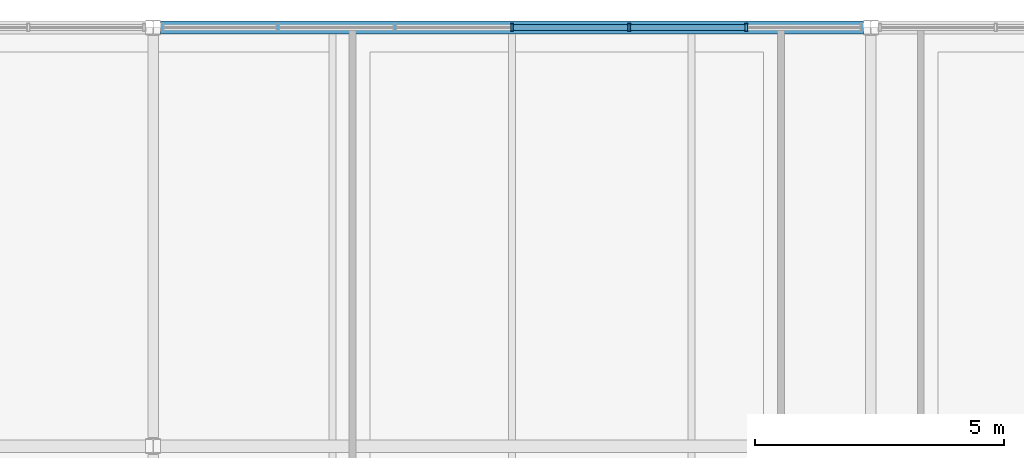
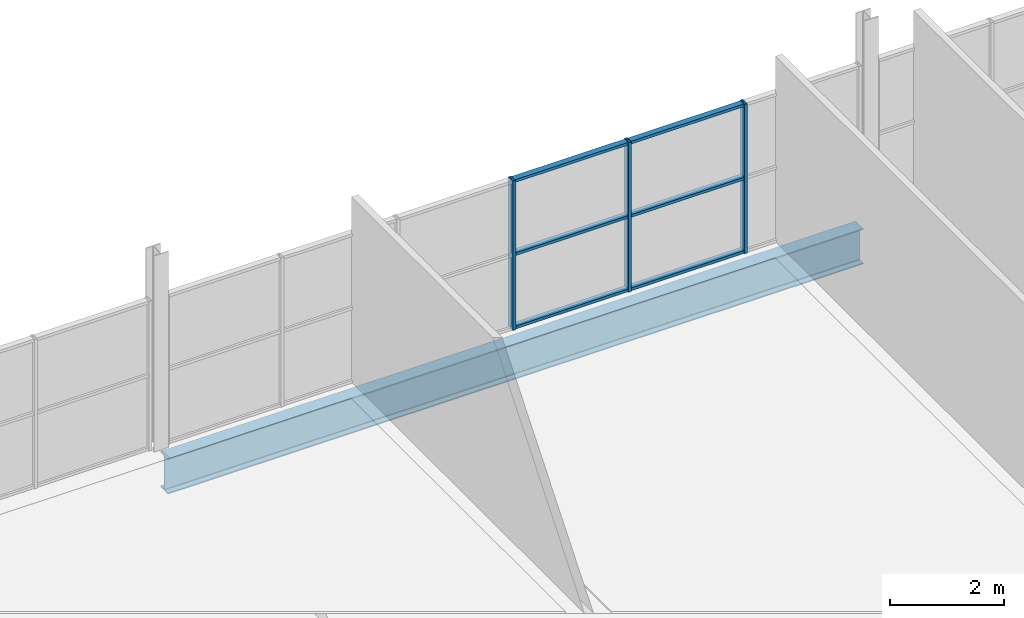
# One storey, part 40 of 68: 9 members, 1 beam, 1 element without a shape of its own.
"""IFC4 building model written with IfcOpenShell, lengths in metres."""

from ifc_helpers import new_model, si_unit, direction, frame, origin, origin_2d, place, context, subcontext, project, spatial, hollow_rectangle, i_section, extrude, material, material_profile, profile_set, type_object, element, aggregate, save


model = new_model("IFC4")

# Units and contexts
model_context = context("Model", 3, precision=1e-05, world=origin(), true_north=direction((0.0, 1.0)))
body_context = subcontext(model_context, "Body", "Model", "MODEL_VIEW")
ifc_project = project(units=[si_unit("LENGTHUNIT", "METRE"), si_unit("AREAUNIT", "SQUARE_METRE"), si_unit("VOLUMEUNIT", "CUBIC_METRE"), si_unit("PLANEANGLEUNIT", "RADIAN"), si_unit("MASSUNIT", "GRAM", prefix="KILO"), si_unit("THERMODYNAMICTEMPERATUREUNIT", "KELVIN")], contexts=[model_context])

# Site, building, storey
site_placement = place(None, origin())
site = spatial("IfcSite", under=ifc_project, at=site_placement, CompositionType="ELEMENT")
building_placement = place(site_placement, origin())
building = spatial("IfcBuilding", under=site, at=building_placement, Name="Nduvali Passage Aquatics Centre", CompositionType="ELEMENT")
storey_placement = place(building_placement, frame((0.0, 0.0, 13.199951171875)))
storey = spatial("IfcBuildingStorey", under=building, at=storey_placement, Name="L03", CompositionType="ELEMENT", Elevation=13.199951171875)

# Curtain wall, members
ifc_material_1 = material(Name="Aluminium EN AW-6063 T6", Category="aluminium")
curtain_wall_type = type_object("IfcCurtainWallType", Name="ENV-CW-WELL", PredefinedType="NOTDEFINED", material=ifc_material_1)
curtain_wall_placement = place(storey_placement, origin())
curtain_wall = element("IfcCurtainWall", 1, at=curtain_wall_placement, inside=storey, type_object=curtain_wall_type, Name="L03 North Avenue Teaching CW 110", PredefinedType="NOTDEFINED")
ifc_material_profile_1 = material_profile(ifc_material_1, hollow_rectangle(XDim=0.06005859375, YDim=0.159912109375, WallThickness=0.00390625, at=origin_2d()), Name="ALU MULLION 60x160x4")
ifc_profile_set_1 = profile_set([ifc_material_profile_1], Name="Aluminium EN AW-6063 T6")
member_type_1 = type_object("IfcMemberType", Name="ENV-MEM-MUL60", PredefinedType="MULLION", material=ifc_profile_set_1)
member_1_placement = place(storey_placement, frame((90.0, 117.60009765625, 0.0), z_axis=(0.0, 0.0, 1.0), x_axis=(1.0, 0.0, 0.0)))
member_1 = element("IfcMember", 2, at=member_1_placement, type_object=member_type_1, Name="North Avenue Teaching CW Mullion 4", PredefinedType="MULLION", context=body_context, shape_type="SweptSolid", body=[
    extrude(hollow_rectangle(XDim=0.06005859375, YDim=0.159912109375, WallThickness=0.00390625, at=origin_2d()), origin(), (0.0, 0.0, 1.0), 3.203857421875),
])
member_2_placement = place(storey_placement, frame((92.35009765625, 117.60009765625, 0.0), z_axis=(0.0, 0.0, 1.0), x_axis=(1.0, 0.0, 0.0)))
member_2 = element("IfcMember", 3, at=member_2_placement, type_object=member_type_1, Name="North Avenue Teaching CW Mullion 5", PredefinedType="MULLION", context=body_context, shape_type="SweptSolid", body=[
    extrude(hollow_rectangle(XDim=0.06005859375, YDim=0.159912109375, WallThickness=0.00390625, at=origin_2d()), origin(), (0.0, 0.0, 1.0), 3.203857421875),
])
member_3_placement = place(storey_placement, frame((94.699951171875, 117.60009765625, 0.0), z_axis=(0.0, 0.0, 1.0), x_axis=(1.0, 0.0, 0.0)))
member_3 = element("IfcMember", 4, at=member_3_placement, type_object=member_type_1, Name="North Avenue Teaching CW Mullion 6", PredefinedType="MULLION", context=body_context, shape_type="SweptSolid", body=[
    extrude(hollow_rectangle(XDim=0.06005859375, YDim=0.159912109375, WallThickness=0.00390625, at=origin_2d()), origin(), (0.0, 0.0, 1.0), 3.203857421875),
])
ifc_material_profile_2 = material_profile(ifc_material_1, hollow_rectangle(XDim=0.1201171875, YDim=0.06005859375, WallThickness=0.00390625, at=origin_2d()), Name="ALU TRANSOM 120x60x4")
ifc_profile_set_2 = profile_set([ifc_material_profile_2], Name="Aluminium EN AW-6063 T6")
member_type_2 = type_object("IfcMemberType", Name="ENV-MEM-TRN60", PredefinedType="USERDEFINED", material=ifc_profile_set_2)
member_4_placement = place(storey_placement, frame((90.030029296875, 117.60009765625, 0.030029296875), z_axis=(1.0, 0.0, 0.0), x_axis=(0.0, 1.0, 0.0)))
member_4 = element("IfcMember", 5, at=member_4_placement, type_object=member_type_2, Name="North Avenue Teaching CW Transom B4-R0", ObjectType="TRANSOM", PredefinedType="USERDEFINED", context=body_context, shape_type="SweptSolid", body=[
    extrude(hollow_rectangle(XDim=0.1201171875, YDim=0.06005859375, WallThickness=0.00390625, at=origin_2d()), origin(), (0.0, 0.0, 1.0), 2.2900390625),
])
member_5_placement = place(storey_placement, frame((90.030029296875, 117.60009765625, 1.60205078125), z_axis=(1.0, 0.0, 0.0), x_axis=(0.0, 1.0, 0.0)))
member_5 = element("IfcMember", 6, at=member_5_placement, type_object=member_type_2, Name="North Avenue Teaching CW Transom B4-R1", ObjectType="TRANSOM", PredefinedType="USERDEFINED", context=body_context, shape_type="SweptSolid", body=[
    extrude(hollow_rectangle(XDim=0.1201171875, YDim=0.06005859375, WallThickness=0.00390625, at=origin_2d()), origin(), (0.0, 0.0, 1.0), 2.2900390625),
])
member_6_placement = place(storey_placement, frame((90.030029296875, 117.60009765625, 3.173828125), z_axis=(1.0, 0.0, 0.0), x_axis=(0.0, 1.0, 0.0)))
member_6 = element("IfcMember", 7, at=member_6_placement, type_object=member_type_2, Name="North Avenue Teaching CW Transom B4-R2", ObjectType="TRANSOM", PredefinedType="USERDEFINED", context=body_context, shape_type="SweptSolid", body=[
    extrude(hollow_rectangle(XDim=0.1201171875, YDim=0.06005859375, WallThickness=0.00390625, at=origin_2d()), origin(), (0.0, 0.0, 1.0), 2.2900390625),
])
member_7_placement = place(storey_placement, frame((92.3798828125, 117.60009765625, 0.030029296875), z_axis=(1.0, 0.0, 0.0), x_axis=(0.0, 1.0, 0.0)))
member_7 = element("IfcMember", 8, at=member_7_placement, type_object=member_type_2, Name="North Avenue Teaching CW Transom B5-R0", ObjectType="TRANSOM", PredefinedType="USERDEFINED", context=body_context, shape_type="SweptSolid", body=[
    extrude(hollow_rectangle(XDim=0.1201171875, YDim=0.06005859375, WallThickness=0.00390625, at=origin_2d()), origin(), (0.0, 0.0, 1.0), 2.2900390625),
])
member_8_placement = place(storey_placement, frame((92.3798828125, 117.60009765625, 1.60205078125), z_axis=(1.0, 0.0, 0.0), x_axis=(0.0, 1.0, 0.0)))
member_8 = element("IfcMember", 9, at=member_8_placement, type_object=member_type_2, Name="North Avenue Teaching CW Transom B5-R1", ObjectType="TRANSOM", PredefinedType="USERDEFINED", context=body_context, shape_type="SweptSolid", body=[
    extrude(hollow_rectangle(XDim=0.1201171875, YDim=0.06005859375, WallThickness=0.00390625, at=origin_2d()), origin(), (0.0, 0.0, 1.0), 2.2900390625),
])
member_9_placement = place(storey_placement, frame((92.3798828125, 117.60009765625, 3.173828125), z_axis=(1.0, 0.0, 0.0), x_axis=(0.0, 1.0, 0.0)))
member_9 = element("IfcMember", 10, at=member_9_placement, type_object=member_type_2, Name="North Avenue Teaching CW Transom B5-R2", ObjectType="TRANSOM", PredefinedType="USERDEFINED", context=body_context, shape_type="SweptSolid", body=[
    extrude(hollow_rectangle(XDim=0.1201171875, YDim=0.06005859375, WallThickness=0.00390625, at=origin_2d()), origin(), (0.0, 0.0, 1.0), 2.2900390625),
])
aggregate(curtain_wall, [member_1, member_2, member_3, member_4, member_5, member_6, member_7, member_8, member_9])

# Beam
ifc_material_2 = material(Name="Steel S355", Category="steel")
ifc_material_profile_3 = material_profile(ifc_material_2, i_section(OverallWidth=0.2666015625, OverallDepth=0.76220703125, WebThickness=0.014404296875, FlangeThickness=0.021484375, FilletRadius=0.0166015625, at=origin_2d()), Name="UKB 762x267x173")
ifc_profile_set_3 = profile_set([ifc_material_profile_3], Name="Steel S355")
beam_type = type_object("IfcBeamType", Name="STR-BM-UKB762-EXT", PredefinedType="BEAM", material=ifc_profile_set_3)
beam_placement = place(storey_placement, frame((82.949951171875, 117.60009765625, -0.635009765625), z_axis=(1.0, 0.0, 0.0), x_axis=(0.0, 1.0, 0.0)))
element("IfcBeam", 11, at=beam_placement, inside=storey, type_object=beam_type, Name="L03 Primary X-Girder B4CE-1236", PredefinedType="BEAM", context=body_context, shape_type="SweptSolid", body=[
    extrude(i_section(OverallWidth=0.2666015625, OverallDepth=0.76220703125, WebThickness=0.014404296875, FlangeThickness=0.021484375, FilletRadius=0.0166015625, at=origin_2d()), origin(), (0.0, 0.0, 1.0), 14.10009765625),
])

save(model, "model.ifc")
